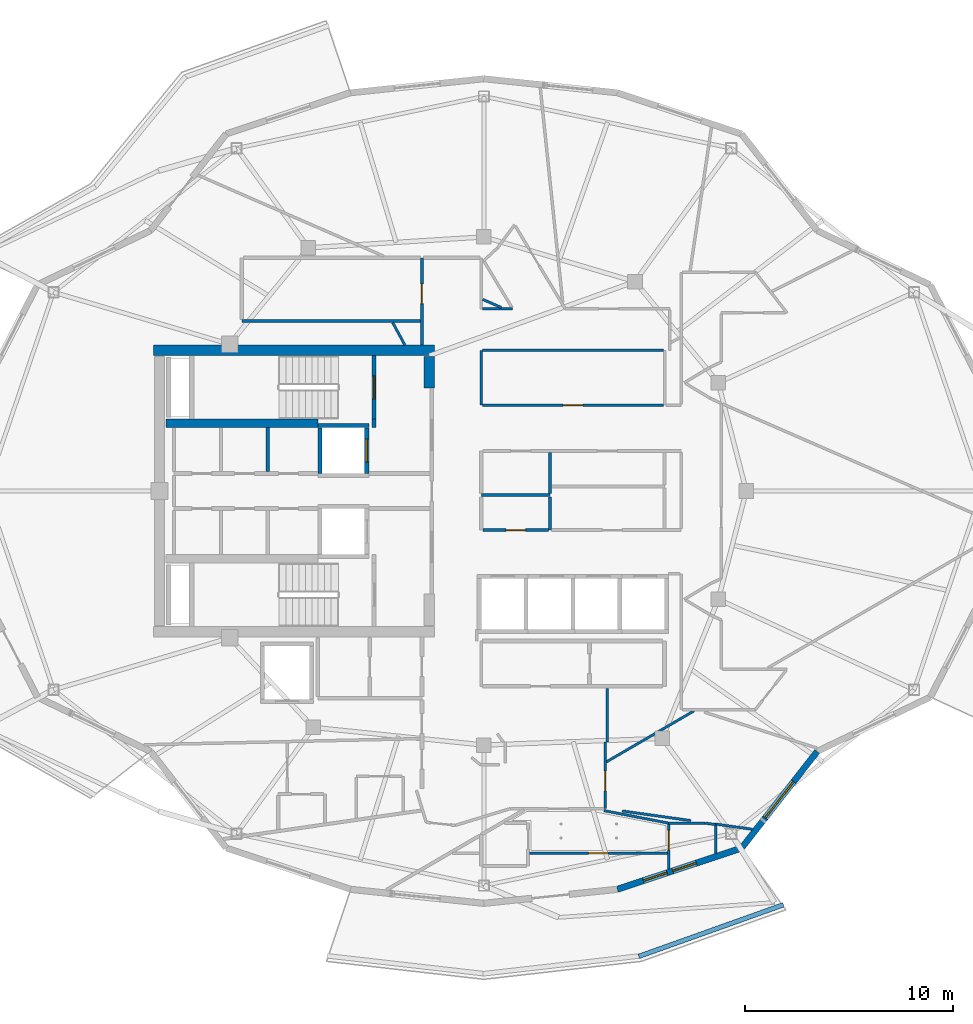
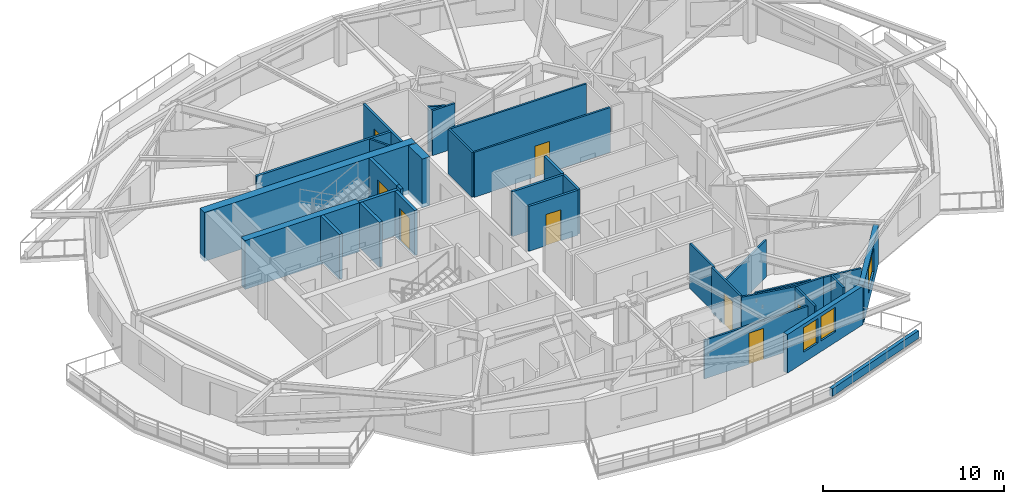
# One storey, part 5 of 18: 35 walls, 8 doors, 3 windows, 11 openings.
"""IFC4 building model written with IfcOpenShell, lengths in metres."""

from ifc_helpers import new_model, si_unit, direction, frame, frame_2d, origin, place, context, subcontext, project, spatial, rectangle, extrude, material, layer, layer_set, type_object, element, fill, save


model = new_model("IFC4")

# Units and contexts
model_context = context("Model", 3, precision=1e-05, world=origin(), true_north=direction((0.0, 1.0)))
body_context = subcontext(model_context, "Body", "Model", "MODEL_VIEW")
ifc_project = project(units=[si_unit("LENGTHUNIT", "METRE"), si_unit("AREAUNIT", "SQUARE_METRE"), si_unit("VOLUMEUNIT", "CUBIC_METRE"), si_unit("PLANEANGLEUNIT", "RADIAN"), si_unit("MASSUNIT", "GRAM", prefix="KILO")], contexts=[model_context])

# Site, building, storey
site_placement = place(None, origin())
site = spatial("IfcSite", under=ifc_project, at=site_placement, CompositionType="ELEMENT")
building_placement = place(site_placement, origin())
building = spatial("IfcBuilding", under=site, at=building_placement, Name="Kolvaren Gate Tower and Convention Centre", CompositionType="ELEMENT")
storey_placement = place(building_placement, frame((0.0, 0.0, 229.39990234375)))
storey = spatial("IfcBuildingStorey", under=building, at=storey_placement, Name="L61", CompositionType="ELEMENT", Elevation=229.39990234375)

# Walls
ifc_material_1 = material(Name="Autoclaved Aerated Masonry Blockwork Class 4 (4.0 MPa)", Category="masonry")
ifc_layer_1 = layer(ifc_material_1, 0.179931640625)
ifc_layer_set_1 = layer_set([ifc_layer_1], Name="Autoclaved Aerated Masonry Blockwork Class 4 (4.0 MPa)")
wall_type_1 = type_object("IfcWallType", Name="ARCH-WL-COMP-180", PredefinedType="SOLIDWALL", material=ifc_layer_set_1)
wall_1_placement = place(storey_placement, frame((24.85009765625, 30.0400390625, 0.0), z_axis=(0.0, 0.0, 1.0), x_axis=(0.0, 1.0, 0.0)))
element("IfcWall", 1, at=wall_1_placement, inside=storey, type_object=wall_type_1, Name="Interior Partition WL-L61-INT-002", PredefinedType="SOLIDWALL", context=body_context, shape_type="SweptSolid", body=[
    extrude(rectangle(XDim=0.419921875, YDim=0.179931640625, at=frame_2d((0.2099609375, 0.0))), origin(), (0.0, 0.0, 1.0), 3.030029296875),
])
wall_2_placement = place(storey_placement, frame((19.75, 27.931884765625, 0.0), z_axis=(0.0, 0.0, 1.0), x_axis=(0.0, 1.0, 0.0)))
element("IfcWall", 2, at=wall_2_placement, inside=storey, type_object=wall_type_1, Name="Interior Partition WL-L61-INT-008", PredefinedType="SOLIDWALL", context=body_context, shape_type="SweptSolid", body=[
    extrude(rectangle(XDim=2.106201171875, YDim=0.179931640625, at=frame_2d((1.05322265625, 0.0))), origin(), (0.0, 0.0, 1.0), 3.030029296875),
])
ifc_material_2 = material(Name="Fire-Rated Acoustic Gypsum Stud Partition", Category="gypsum")
ifc_layer_2 = layer(ifc_material_2, 0.1201171875)
ifc_layer_set_2 = layer_set([ifc_layer_2], Name="Fire-Rated Acoustic Gypsum Stud Partition")
wall_type_2 = type_object("IfcWallType", Name="ARCH-WL-PART-120", PredefinedType="PARTITIONING", material=ifc_layer_set_2)
wall_3_placement = place(storey_placement, frame((30.0, 31.1201171875, 0.0), z_axis=(0.0, 0.0, 1.0), x_axis=(0.0, 1.0, 0.0)))
element("IfcWall", 3, at=wall_3_placement, inside=storey, type_object=wall_type_2, Name="Interior Partition WL-L61-INT-020", PredefinedType="PARTITIONING", context=body_context, shape_type="SweptSolid", body=[
    extrude(rectangle(XDim=2.6298828125, YDim=0.1201171875, at=frame_2d((1.31494140625, 0.0))), origin(), (0.0, 0.0, 1.0), 3.030029296875),
])

# Wall, opening, door
wall_4_placement = place(storey_placement, frame((30.06201171875, 31.1201171875, 0.0), z_axis=(0.0, 0.0, 1.0), x_axis=(1.0, 0.0, 0.0)))
wall_4 = element("IfcWall", 4, at=wall_4_placement, inside=storey, type_object=wall_type_2, Name="Interior Partition WL-L61-INT-029", PredefinedType="PARTITIONING", context=body_context, shape_type="SweptSolid", body=[
    extrude(rectangle(XDim=8.676025390625, YDim=0.1201171875, at=frame_2d((4.337890625, 0.0))), origin(), (0.0, 0.0, 1.0), 3.030029296875),
])
opening_1_placement = place(wall_4_placement, frame((3.863037109375, 0.0, 0.0)))
opening_1 = element("IfcOpeningElement", 5, at=opening_1_placement, cuts=wall_4, Name="Opening DR-01", PredefinedType="OPENING", context=body_context, shape_type="SweptSolid", body=[
    extrude(rectangle(XDim=0.949951171875, YDim=2.10009765625, at=frame_2d((0.47509765625, 1.050048828125))), frame((0.0, 0.070068359375, 0.0), z_axis=(0.0, -1.0, 0.0), x_axis=(1.0, 0.0, 0.0)), (0.0, 0.0, 1.0), 0.14013671875),
])
ifc_material_3 = material(Name="Painted Architectural Steelwork ASTM A500 Grade C 345 MPa", Category="steel")
door_type_1 = type_object("IfcDoorType", Name="ARCH-DR-RISER-950", OperationType="SINGLE_SWING_RIGHT", PredefinedType="DOOR", material=ifc_material_3)
door_1_placement = place(opening_1_placement, origin())
door_1 = element("IfcDoor", 6, at=door_1_placement, inside=storey, type_object=door_type_1, Name="Botanical Reading Clubroom Door", OperationType="SINGLE_SWING_LEFT", OverallHeight=2.10009765625, OverallWidth=0.949951171875, PredefinedType="DOOR", context=body_context, shape_type="SweptSolid", body=[
    extrude(rectangle(XDim=0.949951171875, YDim=2.10009765625, at=frame_2d((0.47509765625, 1.050048828125))), frame((0.0, 0.02490234375, 0.0), z_axis=(0.0, -1.0, 0.0), x_axis=(1.0, 0.0, 0.0)), (0.0, 0.0, 1.0), 0.050048828125),
])
fill(opening_1, door_1)

# Walls
wall_5_placement = place(storey_placement, frame((30.06201171875, 33.75, 0.0), z_axis=(0.0, 0.0, 1.0), x_axis=(1.0, 0.0, 0.0)))
element("IfcWall", 7, at=wall_5_placement, inside=storey, type_object=wall_type_2, Name="Interior Partition WL-L61-INT-030", PredefinedType="PARTITIONING", context=body_context, shape_type="SweptSolid", body=[
    extrude(rectangle(XDim=8.676025390625, YDim=0.1201171875, at=frame_2d((4.337890625, 0.0))), origin(), (0.0, 0.0, 1.0), 3.030029296875),
])
wall_6_placement = place(storey_placement, frame((30.06201171875, 35.75, 0.0), z_axis=(0.0, 0.0, 1.0), x_axis=(1.0, 0.0, 0.0)))
element("IfcWall", 8, at=wall_6_placement, inside=storey, type_object=wall_type_2, Name="Interior Partition WL-L61-INT-037", PredefinedType="PARTITIONING", context=body_context, shape_type="SweptSolid", body=[
    extrude(rectangle(XDim=1.445068359375, YDim=0.1201171875, at=frame_2d((0.72265625, 0.0))), origin(), (0.0, 0.0, 1.0), 3.030029296875),
])
wall_7_placement = place(storey_placement, frame((36.050048828125, 14.949951171875, 0.0), z_axis=(0.0, 0.0, 1.0), x_axis=(0.0, 1.0, 0.0)))
element("IfcWall", 9, at=wall_7_placement, inside=storey, type_object=wall_type_2, Name="Interior Partition WL-L61-INT-066", PredefinedType="PARTITIONING", context=body_context, shape_type="SweptSolid", body=[
    extrude(rectangle(XDim=2.578125, YDim=0.1201171875, at=frame_2d((1.2890625, 0.0))), origin(), (0.0, 0.0, 1.0), 3.030029296875),
])

# Wall, opening, door
wall_8_placement = place(storey_placement, frame((35.949951171875, 11.75, 0.0), z_axis=(0.0, 0.0, 1.0), x_axis=(0.0, 1.0, 0.0)))
wall_8 = element("IfcWall", 10, at=wall_8_placement, inside=storey, type_object=wall_type_2, Name="Interior Partition WL-L61-INT-067", PredefinedType="PARTITIONING", context=body_context, shape_type="SweptSolid", body=[
    extrude(rectangle(XDim=3.199951171875, YDim=0.1201171875, at=frame_2d((1.60009765625, 0.0))), origin(), (0.0, 0.0, 1.0), 3.030029296875),
])
opening_2_placement = place(wall_8_placement, frame((0.852783203125, 0.0, 0.0)))
opening_2 = element("IfcOpeningElement", 11, at=opening_2_placement, cuts=wall_8, Name="Opening DR-01", PredefinedType="OPENING", context=body_context, shape_type="SweptSolid", body=[
    extrude(rectangle(XDim=0.949951171875, YDim=2.10009765625, at=frame_2d((0.47509765625, 1.050048828125))), frame((0.0, 0.070068359375, 0.0), z_axis=(0.0, -1.0, 0.0), x_axis=(1.0, 0.0, 0.0)), (0.0, 0.0, 1.0), 0.14013671875),
])
door_2_placement = place(opening_2_placement, origin())
door_2 = element("IfcDoor", 12, at=door_2_placement, inside=storey, type_object=door_type_1, Name="Resident Committee Meeting Room Door", OperationType="SINGLE_SWING_LEFT", OverallHeight=2.10009765625, OverallWidth=0.949951171875, PredefinedType="DOOR", context=body_context, shape_type="SweptSolid", body=[
    extrude(rectangle(XDim=0.949951171875, YDim=2.10009765625, at=frame_2d((0.47509765625, 1.050048828125))), frame((0.0, 0.02490234375, 0.0), z_axis=(0.0, -1.0, 0.0), x_axis=(1.0, 0.0, 0.0)), (0.0, 0.0, 1.0), 0.050048828125),
])
fill(opening_2, door_2)

# Walls
wall_9_placement = place(storey_placement, frame((36.011962890625, 13.994873046875, 0.0), z_axis=(0.0, 0.0, 1.0), x_axis=(0.864278013608, 0.503014428415, 0.0)))
element("IfcWall", 13, at=wall_9_placement, inside=storey, type_object=wall_type_2, Name="Interior Partition WL-L61-INT-086", PredefinedType="PARTITIONING", context=body_context, shape_type="SweptSolid", body=[
    extrude(rectangle(XDim=4.85693359375, YDim=0.1201171875, at=frame_2d((2.428466796875, 0.0))), origin(), (0.0, 0.0, 1.0), 2.47802734375),
])
wall_10_placement = place(storey_placement, frame((39.0, 11.050048828125, 0.0), z_axis=(0.0, 0.0, 1.0), x_axis=(1.0, 0.0, 0.0)))
element("IfcWall", 14, at=wall_10_placement, inside=storey, type_object=wall_type_2, Name="Interior Partition WL-L61-INT-090", PredefinedType="PARTITIONING", context=body_context, shape_type="SweptSolid", body=[
    extrude(rectangle(XDim=1.75390625, YDim=0.1201171875, at=frame_2d((0.876953125, 0.0))), origin(), (0.0, 0.0, 1.0), 3.030029296875),
])
wall_11_placement = place(storey_placement, frame((35.887939453125, 11.65234375, 0.0), z_axis=(0.0, 0.0, 1.0), x_axis=(0.981782168089, -0.190009932429, 0.0)))
element("IfcWall", 15, at=wall_11_placement, inside=storey, type_object=wall_type_2, Name="Interior Partition WL-L61-INT-091", PredefinedType="PARTITIONING", context=body_context, shape_type="SweptSolid", body=[
    extrude(rectangle(XDim=3.169921875, YDim=0.1201171875, at=frame_2d((1.5849609375, 0.0))), origin(), (0.0, 0.0, 1.0), 3.030029296875),
])

# Wall, opening, door
wall_12_placement = place(storey_placement, frame((39.0, 8.85302734375, 0.0), z_axis=(0.0, 0.0, 1.0), x_axis=(0.0, 1.0, 0.0)))
wall_12 = element("IfcWall", 16, at=wall_12_placement, inside=storey, type_object=wall_type_2, Name="Interior Partition WL-L61-INT-092", PredefinedType="PARTITIONING", context=body_context, shape_type="SweptSolid", body=[
    extrude(rectangle(XDim=2.135009765625, YDim=0.1201171875, at=frame_2d((1.0673828125, 0.0))), origin(), (0.0, 0.0, 1.0), 3.030029296875),
])
opening_3_placement = place(wall_12_placement, frame((0.903564453125, 0.0, 0.0)))
opening_3 = element("IfcOpeningElement", 17, at=opening_3_placement, cuts=wall_12, Name="Opening DI-01", PredefinedType="OPENING", context=body_context, shape_type="SweptSolid", body=[
    extrude(rectangle(XDim=0.949951171875, YDim=2.10009765625, at=frame_2d((0.47509765625, 1.050048828125))), frame((0.0, 0.070068359375, 0.0), z_axis=(0.0, -1.0, 0.0), x_axis=(1.0, 0.0, 0.0)), (0.0, 0.0, 1.0), 0.14013671875),
])
ifc_material_4 = material(Name="FSC Andean Oak Engineered Veneer Door Leaf", Category="wood")
door_type_2 = type_object("IfcDoorType", Name="ARCH-DR-INT-950", OperationType="SINGLE_SWING_LEFT", PredefinedType="DOOR", material=ifc_material_4)
door_3_placement = place(opening_3_placement, origin())
door_3 = element("IfcDoor", 18, at=door_3_placement, inside=storey, type_object=door_type_2, Name="Apartment Fitted Kitchen (APT-L61-02) Door", OperationType="SINGLE_SWING_RIGHT", OverallHeight=2.10009765625, OverallWidth=0.949951171875, PredefinedType="DOOR", context=body_context, shape_type="SweptSolid", body=[
    extrude(rectangle(XDim=0.949951171875, YDim=2.10009765625, at=frame_2d((0.47509765625, 1.050048828125))), frame((0.0, 0.02490234375, 0.0), z_axis=(0.0, -1.0, 0.0), x_axis=(1.0, 0.0, 0.0)), (0.0, 0.0, 1.0), 0.050048828125),
])
fill(opening_3, door_3)

wall_13_placement = place(storey_placement, frame((32.326904296875, 9.60498046875, 0.0), z_axis=(0.0, 0.0, 1.0), x_axis=(1.0, 0.0, 0.0)))
wall_13 = element("IfcWall", 19, at=wall_13_placement, inside=storey, type_object=wall_type_2, Name="Interior Partition WL-L61-INT-094", PredefinedType="PARTITIONING", context=body_context, shape_type="SweptSolid", body=[
    extrude(rectangle(XDim=6.611083984375, YDim=0.1201171875, at=frame_2d((3.3056640625, 0.0))), origin(), (0.0, 0.0, 1.0), 2.60498046875),
])
opening_4_placement = place(wall_13_placement, frame((2.83056640625, 0.0, 0.0)))
opening_4 = element("IfcOpeningElement", 20, at=opening_4_placement, cuts=wall_13, Name="Opening DI-01", PredefinedType="OPENING", context=body_context, shape_type="SweptSolid", body=[
    extrude(rectangle(XDim=0.949951171875, YDim=2.10009765625, at=frame_2d((0.47509765625, 1.050048828125))), frame((0.0, 0.070068359375, 0.0), z_axis=(0.0, -1.0, 0.0), x_axis=(1.0, 0.0, 0.0)), (0.0, 0.0, 1.0), 0.14013671875),
])
door_4_placement = place(opening_4_placement, origin())
door_4 = element("IfcDoor", 21, at=door_4_placement, inside=storey, type_object=door_type_2, Name="Apartment Bedroom (APT-L61-02) Door", OperationType="SINGLE_SWING_RIGHT", OverallHeight=2.10009765625, OverallWidth=0.949951171875, PredefinedType="DOOR", context=body_context, shape_type="SweptSolid", body=[
    extrude(rectangle(XDim=0.949951171875, YDim=2.10009765625, at=frame_2d((0.47509765625, 1.050048828125))), frame((0.0, 0.02490234375, 0.0), z_axis=(0.0, -1.0, 0.0), x_axis=(1.0, 0.0, 0.0)), (0.0, 0.0, 1.0), 0.050048828125),
])
fill(opening_4, door_4)

# Walls
wall_14_placement = place(storey_placement, frame((40.75390625, 11.050048828125, 0.0), z_axis=(0.0, 0.0, 1.0), x_axis=(0.991540443372, -0.129798109221, 0.0)))
element("IfcWall", 22, at=wall_14_placement, inside=storey, type_object=wall_type_2, Name="Interior Partition WL-L61-INT-095", PredefinedType="PARTITIONING", context=body_context, shape_type="SweptSolid", body=[
    extrude(rectangle(XDim=0.500244140625, YDim=0.1201171875, at=frame_2d((0.25, 0.0))), origin(), (0.0, 0.0, 1.0), 3.030029296875),
])
wall_15_placement = place(storey_placement, frame((41.25, 9.5986328125, 0.0), z_axis=(0.0, 0.0, 1.0), x_axis=(0.0, 1.0, 0.0)))
element("IfcWall", 23, at=wall_15_placement, inside=storey, type_object=wall_type_2, Name="Interior Partition WL-L61-INT-096", PredefinedType="PARTITIONING", context=body_context, shape_type="SweptSolid", body=[
    extrude(rectangle(XDim=1.386474609375, YDim=0.1201171875, at=frame_2d((0.693359375, 0.0))), origin(), (0.0, 0.0, 1.0), 3.030029296875),
])
wall_16_placement = place(storey_placement, frame((36.76416015625, 11.635498046875, 0.0), z_axis=(0.0, 0.0, 1.0), x_axis=(0.990262425383, -0.139213249639, 0.0)))
element("IfcWall", 24, at=wall_16_placement, inside=storey, type_object=wall_type_2, Name="Interior Partition WL-L61-INT-099", PredefinedType="PARTITIONING", context=body_context, shape_type="SweptSolid", body=[
    extrude(rectangle(XDim=3.32861328125, YDim=0.1201171875, at=frame_2d((1.664306640625, 0.0))), origin(), (0.0, 0.0, 1.0), 3.030029296875),
])
wall_17_placement = place(storey_placement, frame((41.25244140625, 11.00439453125, 0.0), z_axis=(0.0, 0.0, 1.0), x_axis=(0.990257170036, -0.139250627263, 0.0)))
element("IfcWall", 25, at=wall_17_placement, inside=storey, type_object=wall_type_2, Name="Interior Partition WL-L61-INT-099 (2)", PredefinedType="PARTITIONING", context=body_context, shape_type="SweptSolid", body=[
    extrude(rectangle(XDim=1.779541015625, YDim=0.1201171875, at=frame_2d((0.8896484375, 0.0))), origin(), (0.0, 0.0, 1.0), 3.030029296875),
])
wall_18_placement = place(storey_placement, frame((30.06201171875, 36.2041015625, 0.0), z_axis=(0.0, 0.0, 1.0), x_axis=(0.916602414635, -0.39979996684, 0.0)))
element("IfcWall", 26, at=wall_18_placement, inside=storey, type_object=wall_type_2, Name="Interior Partition WL-L61-INT-101", PredefinedType="PARTITIONING", context=body_context, shape_type="SweptSolid", body=[
    extrude(rectangle(XDim=0.980712890625, YDim=0.1201171875, at=frame_2d((0.490234375, 0.0))), origin(), (0.0, 0.0, 1.0), 3.030029296875),
])
wall_19_placement = place(storey_placement, frame((25.748779296875, 35.0830078125, 0.0), z_axis=(0.0, 0.0, 1.0), x_axis=(0.476052805352, -0.879416696746, 0.0)))
element("IfcWall", 27, at=wall_19_placement, inside=storey, type_object=wall_type_2, Name="Interior Partition WL-L61-INT-107", PredefinedType="PARTITIONING", context=body_context, shape_type="SweptSolid", body=[
    extrude(rectangle(XDim=1.229248046875, YDim=0.1201171875, at=frame_2d((0.61474609375, 0.0))), origin(), (0.0, 0.0, 1.0), 3.030029296875),
])
ifc_material_5 = material(Name="Piedmont Cream Honed Limestone Cladding", Category="masonry")
ifc_layer_3 = layer(ifc_material_5, 0.219970703125)
ifc_layer_set_3 = layer_set([ifc_layer_3], Name="Piedmont Cream Honed Limestone Cladding")
wall_type_3 = type_object("IfcWallType", Name="ARCH-WL-PLANTER-220", PredefinedType="PARAPET", material=ifc_layer_set_3)
wall_20_placement = place(storey_placement, frame((37.564697265625, 4.65283203125, 0.0), z_axis=(0.0, 0.0, 1.0), x_axis=(0.941780086523, 0.336229488042, 0.0)))
element("IfcWall", 28, at=wall_20_placement, inside=storey, type_object=wall_type_3, Name="Vertical-Forest Balcony Stone Planter Kerb PK-L61-3.3", PredefinedType="PARAPET", context=body_context, shape_type="SweptSolid", body=[
    extrude(rectangle(XDim=7.3779296875, YDim=0.219970703125, at=frame_2d((3.68896484375, 0.0))), origin(), (0.0, 0.0, 1.0), 0.52001953125),
])
ifc_layer_4 = layer(ifc_material_1, 0.199951171875)
ifc_layer_set_4 = layer_set([ifc_layer_4], Name="Autoclaved Aerated Masonry Blockwork Class 4 (4.0 MPa)")
wall_type_4 = type_object("IfcWallType", Name="ARCH-WL-SHAFT-200", PredefinedType="SOLIDWALL", material=ifc_layer_set_4)
wall_21_placement = place(storey_placement, frame((22.14990234375, 30.139892578125, 0.0), z_axis=(0.0, 0.0, 1.0), x_axis=(1.0, 0.0, 0.0)))
element("IfcWall", 29, at=wall_21_placement, inside=storey, type_object=wall_type_4, Name="Elevator FF-01 L61 Fire Shaft Wall N", PredefinedType="SOLIDWALL", context=body_context, shape_type="SweptSolid", body=[
    extrude(rectangle(XDim=2.4501953125, YDim=0.199951171875, at=frame_2d((1.22509765625, 0.0))), origin(), (0.0, 0.0, 1.0), 3.030029296875),
])
wall_22_placement = place(storey_placement, frame((22.25, 27.85009765625, 0.0), z_axis=(0.0, 0.0, 1.0), x_axis=(0.0, 1.0, 0.0)))
element("IfcWall", 30, at=wall_22_placement, inside=storey, type_object=wall_type_4, Name="Elevator FF-01 L61 Fire Shaft Wall W", PredefinedType="SOLIDWALL", context=body_context, shape_type="SweptSolid", body=[
    extrude(rectangle(XDim=2.179931640625, YDim=0.199951171875, at=frame_2d((1.08984375, 0.0))), origin(), (0.0, 0.0, 1.0), 3.030029296875),
])

# Wall, opening, door
wall_23_placement = place(storey_placement, frame((24.5, 27.85009765625, 0.0), z_axis=(0.0, 0.0, 1.0), x_axis=(0.0, 1.0, 0.0)))
wall_23 = element("IfcWall", 31, at=wall_23_placement, inside=storey, type_object=wall_type_4, Name="Elevator FF-01 L61 Fire Shaft Wall E", PredefinedType="SOLIDWALL", context=body_context, shape_type="SweptSolid", body=[
    extrude(rectangle(XDim=2.179931640625, YDim=0.199951171875, at=frame_2d((1.08984375, 0.0))), origin(), (0.0, 0.0, 1.0), 3.030029296875),
])
opening_5_placement = place(wall_23_placement, frame((0.5400390625, 0.0, 0.0)))
opening_5 = element("IfcOpeningElement", 32, at=opening_5_placement, cuts=wall_23, Name="Opening LD", PredefinedType="OPENING", context=body_context, shape_type="SweptSolid", body=[
    extrude(rectangle(XDim=1.10009765625, YDim=2.199951171875, at=frame_2d((0.550048828125, 1.10009765625))), frame((0.0, 0.10986328125, 0.0), z_axis=(0.0, -1.0, 0.0), x_axis=(1.0, 0.0, 0.0)), (0.0, 0.0, 1.0), 0.219970703125),
])
ifc_material_6 = material(Name="Brushed Stainless Steel Grade 316L", Category="steel")
door_type_3 = type_object("IfcDoorType", Name="ARCH-DR-LIFT-1100", OperationType="SLIDING_TO_LEFT", PredefinedType="DOOR", material=ifc_material_6)
door_5_placement = place(opening_5_placement, origin())
door_5 = element("IfcDoor", 33, at=door_5_placement, inside=storey, type_object=door_type_3, Name="Elevator FF-01 L61 Sliding Landing Door", OperationType="SLIDING_TO_LEFT", OverallHeight=2.199951171875, OverallWidth=1.10009765625, PredefinedType="DOOR", context=body_context, shape_type="SweptSolid", body=[
    extrude(rectangle(XDim=1.10009765625, YDim=2.199951171875, at=frame_2d((0.550048828125, 1.10009765625))), frame((0.0, 0.02490234375, 0.0), z_axis=(0.0, -1.0, 0.0), x_axis=(1.0, 0.0, 0.0)), (0.0, 0.0, 1.0), 0.050048828125),
])
fill(opening_5, door_5)

# Wall, openings, windows
ifc_layer_5 = layer(ifc_material_5, 0.300048828125)
ifc_layer_set_5 = layer_set([ifc_layer_5], Name="Piedmont Cream Honed Limestone Cladding")
wall_type_5 = type_object("IfcWallType", Name="ARCH-WL-STONE-300", PredefinedType="SOLIDWALL", material=ifc_layer_set_5)
wall_24_placement = place(storey_placement, frame((36.53076171875, 7.874755859375, 0.0), z_axis=(0.0, 0.0, 1.0), x_axis=(0.949240877604, 0.314550085495, 0.0)))
wall_24 = element("IfcWall", 34, at=wall_24_placement, inside=storey, type_object=wall_type_5, Name="Tower L61 Honed Stone Spandrel Wall EW-19", PredefinedType="SOLIDWALL", context=body_context, shape_type="SweptSolid", body=[
    extrude(rectangle(XDim=6.288330078125, YDim=0.300048828125, at=frame_2d((3.14404296875, 0.0))), origin(), (0.0, 0.0, 1.0), 2.60498046875),
])
opening_6_placement = place(wall_24_placement, frame((1.321533203125, 0.0, 0.719970703125)))
opening_6 = element("IfcOpeningElement", 35, at=opening_6_placement, cuts=wall_24, Name="Opening W-04", PredefinedType="OPENING", context=body_context, shape_type="SweptSolid", body=[
    extrude(rectangle(XDim=1.199951171875, YDim=1.64990234375, at=frame_2d((0.60009765625, 0.824951171875))), frame((0.0, 0.159912109375, 0.0), z_axis=(0.0, -1.0, 0.0), x_axis=(1.0, 0.0, 0.0)), (0.0, 0.0, 1.0), 0.320068359375),
])
opening_7_placement = place(wall_24_placement, frame((2.802490234375, 0.0, 0.719970703125)))
opening_7 = element("IfcOpeningElement", 36, at=opening_7_placement, cuts=wall_24, Name="Opening W-04", PredefinedType="OPENING", context=body_context, shape_type="SweptSolid", body=[
    extrude(rectangle(XDim=1.199951171875, YDim=1.64990234375, at=frame_2d((0.60009765625, 0.824951171875))), frame((0.0, 0.159912109375, 0.0), z_axis=(0.0, -1.0, 0.0), x_axis=(1.0, 0.0, 0.0)), (0.0, 0.0, 1.0), 0.320068359375),
])
ifc_material_7 = material(Name="Low-E Triple Insulated Glazing Unit 44 mm", Category="glass")
window_type_1 = type_object("IfcWindowType", Name="ARCH-WN-NARROW-1200", PartitioningType="SINGLE_PANEL", PredefinedType="WINDOW", material=ifc_material_7)
window_1_placement = place(opening_6_placement, origin())
window_1 = element("IfcWindow", 37, at=window_1_placement, inside=storey, type_object=window_type_1, Name="Tower L61 Punched Stone Facade Window W-19", OverallHeight=1.64990234375, OverallWidth=1.199951171875, PartitioningType="SINGLE_PANEL", PredefinedType="WINDOW", context=body_context, shape_type="SweptSolid", body=[
    extrude(rectangle(XDim=1.199951171875, YDim=1.64990234375, at=frame_2d((0.60009765625, 0.824951171875))), frame((0.0, 0.030029296875, 0.0), z_axis=(0.0, -1.0, 0.0), x_axis=(1.0, 0.0, 0.0)), (0.0, 0.0, 1.0), 0.06005859375),
])
fill(opening_6, window_1)
window_2_placement = place(opening_7_placement, origin())
window_2 = element("IfcWindow", 38, at=window_2_placement, inside=storey, type_object=window_type_1, Name="Tower L61 Punched Stone Facade Window W-19B", OverallHeight=1.64990234375, OverallWidth=1.199951171875, PartitioningType="SINGLE_PANEL", PredefinedType="WINDOW", context=body_context, shape_type="SweptSolid", body=[
    extrude(rectangle(XDim=1.199951171875, YDim=1.64990234375, at=frame_2d((0.60009765625, 0.824951171875))), frame((0.0, 0.030029296875, 0.0), z_axis=(0.0, -1.0, 0.0), x_axis=(1.0, 0.0, 0.0)), (0.0, 0.0, 1.0), 0.06005859375),
])
fill(opening_7, window_2)

# Wall, opening, window
wall_25_placement = place(storey_placement, frame((42.5, 9.852783203125, 0.0), z_axis=(0.0, 0.0, 1.0), x_axis=(0.616450126935, 0.787393955401, 0.0)))
wall_25 = element("IfcWall", 39, at=wall_25_placement, inside=storey, type_object=wall_type_5, Name="Tower L61 Honed Stone Spandrel Wall EW-20", PredefinedType="SOLIDWALL", context=body_context, shape_type="SweptSolid", body=[
    extrude(rectangle(XDim=5.892822265625, YDim=0.300048828125, at=frame_2d((2.9462890625, 0.0))), origin(), (0.0, 0.0, 1.0), 2.60498046875),
])
opening_8_placement = place(wall_25_placement, frame((1.845947265625, 0.0, 0.719970703125)))
opening_8 = element("IfcOpeningElement", 40, at=opening_8_placement, cuts=wall_25, Name="Opening W-03", PredefinedType="OPENING", context=body_context, shape_type="SweptSolid", body=[
    extrude(rectangle(XDim=2.199951171875, YDim=1.64990234375, at=frame_2d((1.10009765625, 0.824951171875))), frame((0.0, 0.159912109375, 0.0), z_axis=(0.0, -1.0, 0.0), x_axis=(1.0, 0.0, 0.0)), (0.0, 0.0, 1.0), 0.320068359375),
])
window_type_2 = type_object("IfcWindowType", Name="ARCH-WN-RES-2200", PartitioningType="SINGLE_PANEL", PredefinedType="WINDOW", material=ifc_material_7)
window_3_placement = place(opening_8_placement, origin())
window_3 = element("IfcWindow", 41, at=window_3_placement, inside=storey, type_object=window_type_2, Name="Tower L61 Punched Stone Facade Window W-20", OverallHeight=1.64990234375, OverallWidth=2.199951171875, PartitioningType="SINGLE_PANEL", PredefinedType="WINDOW", context=body_context, shape_type="SweptSolid", body=[
    extrude(rectangle(XDim=2.199951171875, YDim=1.64990234375, at=frame_2d((1.10009765625, 0.824951171875))), frame((0.0, 0.030029296875, 0.0), z_axis=(0.0, -1.0, 0.0), x_axis=(1.0, 0.0, 0.0)), (0.0, 0.0, 1.0), 0.06005859375),
])
fill(opening_8, window_3)

# Wall, opening, door
ifc_material_8 = material(Name="Moisture-Resistant Cement-Board Acoustic Partition", Category="gypsum")
ifc_layer_6 = layer(ifc_material_8, 0.14990234375)
ifc_layer_set_6 = layer_set([ifc_layer_6], Name="Moisture-Resistant Cement-Board Acoustic Partition")
wall_type_6 = type_object("IfcWallType", Name="ARCH-WL-WET-150", PredefinedType="PARTITIONING", material=ifc_layer_set_6)
wall_26_placement = place(storey_placement, frame((27.14990234375, 34.001953125, 0.0), z_axis=(0.0, 0.0, 1.0), x_axis=(0.0, 1.0, 0.0)))
wall_26 = element("IfcWall", 42, at=wall_26_placement, inside=storey, type_object=wall_type_6, Name="Interior Partition WL-L61-INT-015", PredefinedType="PARTITIONING", context=body_context, shape_type="SweptSolid", body=[
    extrude(rectangle(XDim=4.197998046875, YDim=0.14990234375, at=frame_2d((2.09912109375, 0.0))), origin(), (0.0, 0.0, 1.0), 3.030029296875),
])
opening_9_placement = place(wall_26_placement, frame((1.998046875, 0.0, 0.0)))
opening_9 = element("IfcOpeningElement", 43, at=opening_9_placement, cuts=wall_26, Name="Opening DR-01", PredefinedType="OPENING", context=body_context, shape_type="SweptSolid", body=[
    extrude(rectangle(XDim=0.949951171875, YDim=2.10009765625, at=frame_2d((0.47509765625, 1.050048828125))), frame((0.0, 0.0849609375, 0.0), z_axis=(0.0, -1.0, 0.0), x_axis=(1.0, 0.0, 0.0)), (0.0, 0.0, 1.0), 0.169921875),
])
door_6_placement = place(opening_9_placement, origin())
door_6 = element("IfcDoor", 44, at=door_6_placement, inside=storey, type_object=door_type_1, Name="Reclaimed North Resident Store Door", OperationType="SINGLE_SWING_LEFT", OverallHeight=2.10009765625, OverallWidth=0.949951171875, PredefinedType="DOOR", context=body_context, shape_type="SweptSolid", body=[
    extrude(rectangle(XDim=0.949951171875, YDim=2.10009765625, at=frame_2d((0.47509765625, 1.050048828125))), frame((0.0, 0.02490234375, 0.0), z_axis=(0.0, -1.0, 0.0), x_axis=(1.0, 0.0, 0.0)), (0.0, 0.0, 1.0), 0.050048828125),
])
fill(opening_9, door_6)

# Walls
wall_27_placement = place(storey_placement, frame((30.0, 26.800048828125, 0.0), z_axis=(0.0, 0.0, 1.0), x_axis=(1.0, 0.0, 0.0)))
element("IfcWall", 45, at=wall_27_placement, inside=storey, type_object=wall_type_6, Name="Interior Partition WL-L61-INT-016", PredefinedType="PARTITIONING", context=body_context, shape_type="SweptSolid", body=[
    extrude(rectangle(XDim=3.300048828125, YDim=0.14990234375, at=frame_2d((1.64990234375, 0.0))), origin(), (0.0, 0.0, 1.0), 3.030029296875),
])
wall_28_placement = place(storey_placement, frame((33.300048828125, 25.1201171875, 0.0), z_axis=(0.0, 0.0, 1.0), x_axis=(0.0, 1.0, 0.0)))
element("IfcWall", 46, at=wall_28_placement, inside=storey, type_object=wall_type_6, Name="Interior Partition WL-L61-INT-023", PredefinedType="PARTITIONING", context=body_context, shape_type="SweptSolid", body=[
    extrude(rectangle(XDim=1.602783203125, YDim=0.14990234375, at=frame_2d((0.80126953125, 0.0))), origin(), (0.0, 0.0, 1.0), 3.030029296875),
])
wall_29_placement = place(storey_placement, frame((33.300048828125, 26.876953125, 0.0), z_axis=(0.0, 0.0, 1.0), x_axis=(0.0, 1.0, 0.0)))
element("IfcWall", 47, at=wall_29_placement, inside=storey, type_object=wall_type_6, Name="Interior Partition WL-L61-INT-023 (2)", PredefinedType="PARTITIONING", context=body_context, shape_type="SweptSolid", body=[
    extrude(rectangle(XDim=1.966064453125, YDim=0.14990234375, at=frame_2d((0.98291015625, 0.0))), origin(), (0.0, 0.0, 1.0), 3.030029296875),
])

# Wall, opening, door
wall_30_placement = place(storey_placement, frame((30.076904296875, 25.1201171875, 0.0), z_axis=(0.0, 0.0, 1.0), x_axis=(1.0, 0.0, 0.0)))
wall_30 = element("IfcWall", 48, at=wall_30_placement, inside=storey, type_object=wall_type_6, Name="Interior Partition WL-L61-INT-024", PredefinedType="PARTITIONING", context=body_context, shape_type="SweptSolid", body=[
    extrude(rectangle(XDim=3.14599609375, YDim=0.14990234375, at=frame_2d((1.572998046875, 0.0))), origin(), (0.0, 0.0, 1.0), 3.030029296875),
])
opening_10_placement = place(wall_30_placement, frame((1.097900390625, 0.0, 0.0)))
opening_10 = element("IfcOpeningElement", 49, at=opening_10_placement, cuts=wall_30, Name="Opening DR-01", PredefinedType="OPENING", context=body_context, shape_type="SweptSolid", body=[
    extrude(rectangle(XDim=0.949951171875, YDim=2.10009765625, at=frame_2d((0.47509765625, 1.050048828125))), frame((0.0, 0.0849609375, 0.0), z_axis=(0.0, -1.0, 0.0), x_axis=(1.0, 0.0, 0.0)), (0.0, 0.0, 1.0), 0.169921875),
])
door_7_placement = place(opening_10_placement, origin())
door_7 = element("IfcDoor", 50, at=door_7_placement, inside=storey, type_object=door_type_1, Name="South Visitor Washroom Door", OperationType="SINGLE_SWING_RIGHT", OverallHeight=2.10009765625, OverallWidth=0.949951171875, PredefinedType="DOOR", context=body_context, shape_type="SweptSolid", body=[
    extrude(rectangle(XDim=0.949951171875, YDim=2.10009765625, at=frame_2d((0.47509765625, 1.050048828125))), frame((0.0, 0.02490234375, 0.0), z_axis=(0.0, -1.0, 0.0), x_axis=(1.0, 0.0, 0.0)), (0.0, 0.0, 1.0), 0.050048828125),
])
fill(opening_10, door_7)

# Walls
wall_31_placement = place(storey_placement, frame((18.5, 35.159912109375, 0.0), z_axis=(0.0, 0.0, 1.0), x_axis=(1.0, 0.0, 0.0)))
element("IfcWall", 51, at=wall_31_placement, inside=storey, type_object=wall_type_6, Name="Interior Partition WL-L61-INT-034", PredefinedType="PARTITIONING", context=body_context, shape_type="SweptSolid", body=[
    extrude(rectangle(XDim=8.572998046875, YDim=0.14990234375, at=frame_2d((4.28662109375, 0.0))), origin(), (0.0, 0.0, 1.0), 3.030029296875),
])
ifc_material_9 = material(Name="Concrete C50/60", Category="concrete")
ifc_layer_7 = layer(ifc_material_9, 0.419921875)
ifc_layer_set_7 = layer_set([ifc_layer_7], Name="Concrete C50/60")
wall_type_7 = type_object("IfcWallType", Name="STR-WL-CONV-420", PredefinedType="SHEAR", material=ifc_layer_set_7)
wall_32_placement = place(storey_placement, frame((14.85009765625, 30.25, -0.27001953125), z_axis=(0.0, 0.0, 1.0), x_axis=(1.0, 0.0, 0.0)))
element("IfcWall", 52, at=wall_32_placement, inside=storey, type_object=wall_type_7, Name="Tower L61 Offset Core Shear Wall WN", PredefinedType="SHEAR", context=body_context, shape_type="SweptSolid", body=[
    extrude(rectangle(XDim=7.2998046875, YDim=0.419921875, at=frame_2d((3.64990234375, 0.0))), origin(), (0.0, 0.0, 1.0), 3.300048828125),
])
ifc_layer_8 = layer(ifc_material_9, 0.5)
ifc_layer_set_8 = layer_set([ifc_layer_8], Name="Concrete C50/60")
wall_type_8 = type_object("IfcWallType", Name="STR-WL-CORE-500", PredefinedType="SHEAR", material=ifc_layer_set_8)
wall_33_placement = place(storey_placement, frame((14.25, 33.75, -0.27001953125), z_axis=(0.0, 0.0, 1.0), x_axis=(1.0, 0.0, 0.0)))
element("IfcWall", 53, at=wall_33_placement, inside=storey, type_object=wall_type_8, Name="Tower L61 Offset Core Shear Wall N", PredefinedType="SHEAR", context=body_context, shape_type="SweptSolid", body=[
    extrude(rectangle(XDim=13.5, YDim=0.5, at=frame_2d((6.75, 0.0))), origin(), (0.0, 0.0, 1.0), 3.300048828125),
])
wall_34_placement = place(storey_placement, frame((27.5, 31.949951171875, -0.27001953125), z_axis=(0.0, 0.0, 1.0), x_axis=(0.0, 1.0, 0.0)))
element("IfcWall", 54, at=wall_34_placement, inside=storey, type_object=wall_type_8, Name="Tower L61 Offset Core Shear Wall EN", PredefinedType="SHEAR", context=body_context, shape_type="SweptSolid", body=[
    extrude(rectangle(XDim=1.5, YDim=0.5, at=frame_2d((0.75, 0.0))), origin(), (0.0, 0.0, 1.0), 3.300048828125),
])

# Wall, opening, door
ifc_layer_9 = layer(ifc_material_9, 0.199951171875)
ifc_layer_set_9 = layer_set([ifc_layer_9], Name="Concrete C50/60")
wall_type_9 = type_object("IfcWallType", Name="STR-WL-SHAFT-200", PredefinedType="SHEAR", material=ifc_layer_set_9)
wall_35_placement = place(storey_placement, frame((24.85009765625, 30.4599609375, -0.27001953125), z_axis=(0.0, 0.0, 1.0), x_axis=(0.0, 1.0, 0.0)))
wall_35 = element("IfcWall", 55, at=wall_35_placement, inside=storey, type_object=wall_type_9, Name="Tower North Exit Stair ST-T1 L61 Structural Shear Enclosure Wall NEAR", PredefinedType="SHEAR", context=body_context, shape_type="SweptSolid", body=[
    extrude(rectangle(XDim=3.0380859375, YDim=0.199951171875, at=frame_2d((1.51904296875, 0.0))), origin(), (0.0, 0.0, 1.0), 3.300048828125),
])
opening_11_placement = place(wall_35_placement, frame((0.968994140625, 0.0, 0.27001953125)))
opening_11 = element("IfcOpeningElement", 56, at=opening_11_placement, cuts=wall_35, Name="Opening DS-01", PredefinedType="OPENING", context=body_context, shape_type="SweptSolid", body=[
    extrude(rectangle(XDim=1.10009765625, YDim=2.14990234375, at=frame_2d((0.550048828125, 1.074951171875))), frame((0.0, 0.10986328125, 0.0), z_axis=(0.0, -1.0, 0.0), x_axis=(1.0, 0.0, 0.0)), (0.0, 0.0, 1.0), 0.219970703125),
])
door_type_4 = type_object("IfcDoorType", Name="ARCH-DR-STAIR-1100", OperationType="SINGLE_SWING_LEFT", PredefinedType="DOOR", material=ifc_material_3)
door_8_placement = place(opening_11_placement, origin())
door_8 = element("IfcDoor", 57, at=door_8_placement, inside=storey, type_object=door_type_4, Name="Tower North Exit Stair ST-T1 L61 Fire Exit Stair Door", OperationType="SINGLE_SWING_LEFT", OverallHeight=2.14990234375, OverallWidth=1.10009765625, PredefinedType="DOOR", context=body_context, shape_type="SweptSolid", body=[
    extrude(rectangle(XDim=1.10009765625, YDim=2.14990234375, at=frame_2d((0.550048828125, 1.074951171875))), frame((0.0, 0.02490234375, 0.0), z_axis=(0.0, -1.0, 0.0), x_axis=(1.0, 0.0, 0.0)), (0.0, 0.0, 1.0), 0.050048828125),
])
fill(opening_11, door_8)

save(model, "model.ifc")
